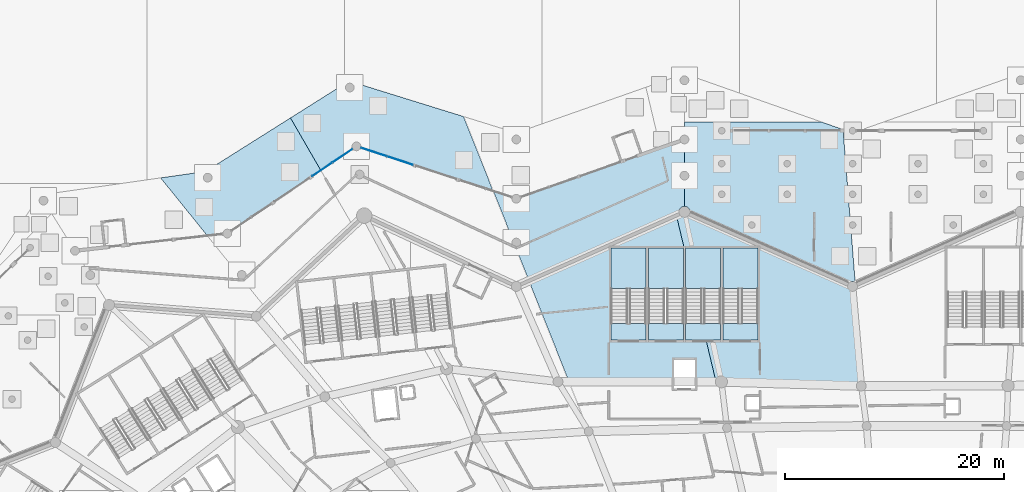
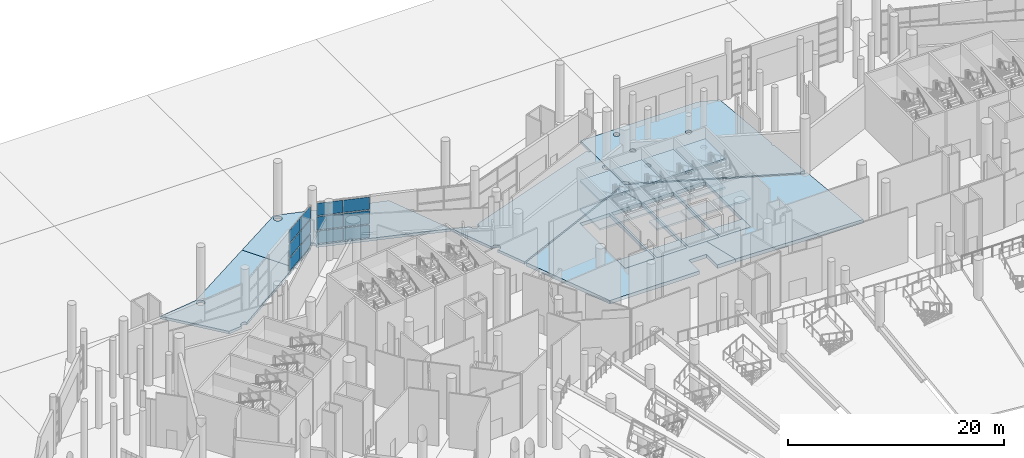
# One storey, part 91 of 255: 21 slabs, 12 plates, 6 elements without a shape of their own.
"""IFC4 building model written with IfcOpenShell, lengths in metres."""

from ifc_helpers import new_model, si_unit, direction, frame, origin, origin_2d, place, context, subcontext, project, spatial, polyline, rectangle, outline, extrude, material, layer, layer_set, type_object, element, aggregate, save


model = new_model("IFC4")

# Units and contexts
model_context = context("Model", 3, precision=1e-05, world=origin(), true_north=direction((0.0, 1.0)))
body_context = subcontext(model_context, "Body", "Model", "MODEL_VIEW")
ifc_project = project(units=[si_unit("LENGTHUNIT", "METRE"), si_unit("AREAUNIT", "SQUARE_METRE"), si_unit("VOLUMEUNIT", "CUBIC_METRE"), si_unit("PLANEANGLEUNIT", "RADIAN"), si_unit("MASSUNIT", "GRAM", prefix="KILO")], contexts=[model_context])

# Site, building, storey
site_placement = place(None, origin())
site = spatial("IfcSite", under=ifc_project, at=site_placement, CompositionType="ELEMENT")
building_placement = place(site_placement, origin())
building = spatial("IfcBuilding", under=site, at=building_placement, Name="Meseta Stadium", CompositionType="ELEMENT")
storey_placement = place(building_placement, origin())
storey = spatial("IfcBuildingStorey", under=building, at=storey_placement, Name="L00", CompositionType="ELEMENT", Elevation=0.0)

# Slabs
ifc_material_1 = material(Name="Concrete C40/50", Category="concrete")
ifc_layer_1 = layer(ifc_material_1, 0.39990234375)
ifc_layer_set_1 = layer_set([ifc_layer_1], Name="Floor slab 400")
slab_type_1 = type_object("IfcSlabType", Name="Floor slab 400", PredefinedType="FLOOR", material=ifc_layer_set_1)
slab_1_placement = place(storey_placement, frame((0.0, 0.0, -0.39990234375)))
element("IfcSlab", 1, at=slab_1_placement, inside=storey, type_object=slab_type_1, Name="Floor slab L00 sector 14 panel 01", PredefinedType="FLOOR", context=body_context, shape_type="SweptSolid", body=[
    extrude(outline(polyline([(-23.732177734375, 105.0751953125), (-37.177001953125, 99.11279296875), (-33.525390625, 89.911376953125), (-23.949951171875, 89.906005859375), (-23.949951171875, 91.89990234375), (-22.050048828125, 91.89990234375), (-22.050048828125, 89.905029296875), (-20.1201171875, 89.904052734375), (-21.023681640625, 93.699951171875), (-22.89990234375, 93.699951171875), (-22.89990234375, 101.580078125), (-23.732177734375, 105.0751953125)]), holes=[polyline([(-26.300048828125, 93.699951171875), (-26.300048828125, 102.10009765625), (-23.10009765625, 102.10009765625), (-23.10009765625, 93.699951171875), (-26.300048828125, 93.699951171875)]), polyline([(-29.699951171875, 93.699951171875), (-29.699951171875, 102.10009765625), (-26.5, 102.10009765625), (-26.5, 93.699951171875), (-29.699951171875, 93.699951171875)])]), origin(), (0.0, 0.0, 1.0), 0.39990234375),
])
slab_2_placement = place(storey_placement, frame((0.0, 0.0, -0.39990234375)))
element("IfcSlab", 2, at=slab_2_placement, inside=storey, type_object=slab_type_1, Name="Floor slab L00 sector 14 panel 03", PredefinedType="FLOOR", context=body_context, shape_type="SweptSolid", body=[
    extrude(outline(polyline([(-21.023681640625, 93.699951171875), (-20.1201171875, 89.904052734375), (-19.62744140625, 89.90380859375), (-6.87060546875, 89.517822265625), (-6.676025390625, 89.518310546875), (-7.406005859375, 98.715576171875), (-7.666748046875, 98.60009765625), (-23.0, 105.39990234375), (-23.732177734375, 105.0751953125), (-22.89990234375, 101.580078125), (-22.89990234375, 102.10009765625), (-19.699951171875, 102.10009765625), (-19.699951171875, 93.699951171875), (-21.023681640625, 93.699951171875)]), holes=[polyline([(-19.5, 102.10009765625), (-16.300048828125, 102.10009765625), (-16.300048828125, 93.699951171875), (-19.5, 93.699951171875), (-19.5, 102.10009765625)])]), origin(), (0.0, 0.0, 1.0), 0.39990234375),
])
ifc_material_2 = material(Name="Concrete C30/37", Category="concrete")
ifc_layer_2 = layer(ifc_material_2, 0.300048828125)
ifc_layer_set_2 = layer_set([ifc_layer_2], Name="Gate grade slab 300")
slab_type_2 = type_object("IfcSlabType", Name="Gate grade slab 300", PredefinedType="BASESLAB", material=ifc_layer_set_2)
slab_3_placement = place(storey_placement, frame((0.0, 0.0, -0.300048828125)))
element("IfcSlab", 3, at=slab_3_placement, inside=storey, type_object=slab_type_2, Name="Gate ground floor slab 3 panel 01", PredefinedType="BASESLAB", context=body_context, shape_type="SweptSolid", body=[
    extrude(outline(polyline([(-7.54931640625, 99.038330078125), (-7.439697265625, 98.9931640625), (-7.42724609375, 98.9833984375), (-7.820556640625, 103.93994140625), (-7.880615234375, 103.986083984375), (-7.9287109375, 104.048583984375), (-7.958984375, 104.12158203125), (-7.96923828125, 104.199951171875), (-7.958984375, 104.2783203125), (-7.9287109375, 104.351318359375), (-7.880615234375, 104.4140625), (-7.859619140625, 104.43017578125), (-8.531982421875, 112.90478515625), (-10.506103515625, 113.60009765625), (-23.0, 113.60009765625), (-23.0, 105.904296875), (-22.869384765625, 105.88720703125), (-22.747802734375, 105.836669921875), (-22.643310546875, 105.756591796875), (-22.563232421875, 105.652099609375), (-22.512939453125, 105.530517578125), (-22.49560546875, 105.39990234375), (-22.4990234375, 105.374755859375), (-7.972412109375, 98.9326171875), (-7.8935546875, 98.9931640625), (-7.7841796875, 99.038330078125), (-7.666748046875, 99.053955078125), (-7.54931640625, 99.038330078125)]), holes=[polyline([(-16.588134765625, 104.048583984375), (-16.63623046875, 103.986083984375), (-16.69873046875, 103.93798828125), (-16.771728515625, 103.90771484375), (-16.85009765625, 103.8974609375), (-16.928466796875, 103.90771484375), (-17.00146484375, 103.93798828125), (-17.064208984375, 103.986083984375), (-17.1123046875, 104.048583984375), (-17.142333984375, 104.12158203125), (-17.152587890625, 104.199951171875), (-17.142333984375, 104.2783203125), (-17.1123046875, 104.351318359375), (-17.064208984375, 104.4140625), (-17.00146484375, 104.4619140625), (-16.928466796875, 104.4921875), (-16.85009765625, 104.502685546875), (-16.771728515625, 104.4921875), (-16.69873046875, 104.4619140625), (-16.63623046875, 104.4140625), (-16.588134765625, 104.351318359375), (-16.557861328125, 104.2783203125), (-16.547607421875, 104.199951171875), (-16.557861328125, 104.12158203125), (-16.588134765625, 104.048583984375)]), polyline([(-19.337890625, 106.8486328125), (-19.385986328125, 106.785888671875), (-19.44873046875, 106.738037109375), (-19.521728515625, 106.707763671875), (-19.60009765625, 106.697509765625), (-19.67822265625, 106.707763671875), (-19.751220703125, 106.738037109375), (-19.81396484375, 106.785888671875), (-19.862060546875, 106.8486328125), (-19.892333984375, 106.921630859375), (-19.902587890625, 107.0), (-19.892333984375, 107.078369140625), (-19.862060546875, 107.1513671875), (-19.81396484375, 107.214111328125), (-19.751220703125, 107.261962890625), (-19.67822265625, 107.292236328125), (-19.60009765625, 107.302490234375), (-19.521728515625, 107.292236328125), (-19.44873046875, 107.261962890625), (-19.385986328125, 107.214111328125), (-19.337890625, 107.1513671875), (-19.3076171875, 107.078369140625), (-19.29736328125, 107.0), (-19.3076171875, 106.921630859375), (-19.337890625, 106.8486328125)]), polyline([(-13.41943359375, 106.785888671875), (-13.48193359375, 106.738037109375), (-13.554931640625, 106.707763671875), (-13.63330078125, 106.697509765625), (-13.711669921875, 106.707763671875), (-13.78466796875, 106.738037109375), (-13.847412109375, 106.785888671875), (-13.8955078125, 106.8486328125), (-13.925537109375, 106.921630859375), (-13.935791015625, 107.0), (-13.925537109375, 107.078369140625), (-13.8955078125, 107.1513671875), (-13.847412109375, 107.214111328125), (-13.78466796875, 107.261962890625), (-13.711669921875, 107.292236328125), (-13.63330078125, 107.302490234375), (-13.554931640625, 107.292236328125), (-13.48193359375, 107.261962890625), (-13.41943359375, 107.214111328125), (-13.371337890625, 107.1513671875), (-13.341064453125, 107.078369140625), (-13.330810546875, 107.0), (-13.341064453125, 106.921630859375), (-13.371337890625, 106.8486328125), (-13.41943359375, 106.785888671875)]), polyline([(-19.337890625, 109.648681640625), (-19.385986328125, 109.5859375), (-19.44873046875, 109.5380859375), (-19.521728515625, 109.5078125), (-19.60009765625, 109.497314453125), (-19.67822265625, 109.5078125), (-19.751220703125, 109.5380859375), (-19.81396484375, 109.5859375), (-19.862060546875, 109.648681640625), (-19.892333984375, 109.7216796875), (-19.902587890625, 109.800048828125), (-19.892333984375, 109.87841796875), (-19.862060546875, 109.951416015625), (-19.81396484375, 110.013916015625), (-19.751220703125, 110.06201171875), (-19.67822265625, 110.09228515625), (-19.60009765625, 110.1025390625), (-19.521728515625, 110.09228515625), (-19.44873046875, 110.06201171875), (-19.385986328125, 110.013916015625), (-19.337890625, 109.951416015625), (-19.3076171875, 109.87841796875), (-19.29736328125, 109.800048828125), (-19.3076171875, 109.7216796875), (-19.337890625, 109.648681640625)]), polyline([(-13.41943359375, 109.5859375), (-13.48193359375, 109.5380859375), (-13.554931640625, 109.5078125), (-13.63330078125, 109.497314453125), (-13.711669921875, 109.5078125), (-13.78466796875, 109.5380859375), (-13.847412109375, 109.5859375), (-13.8955078125, 109.648681640625), (-13.925537109375, 109.7216796875), (-13.935791015625, 109.800048828125), (-13.925537109375, 109.87841796875), (-13.8955078125, 109.951416015625), (-13.847412109375, 110.013916015625), (-13.78466796875, 110.06201171875), (-13.711669921875, 110.09228515625), (-13.63330078125, 110.1025390625), (-13.554931640625, 110.09228515625), (-13.48193359375, 110.06201171875), (-13.41943359375, 110.013916015625), (-13.371337890625, 109.951416015625), (-13.341064453125, 109.87841796875), (-13.330810546875, 109.800048828125), (-13.341064453125, 109.7216796875), (-13.371337890625, 109.648681640625), (-13.41943359375, 109.5859375)]), polyline([(-19.385986328125, 112.5859375), (-19.44873046875, 112.5380859375), (-19.521728515625, 112.5078125), (-19.60009765625, 112.497314453125), (-19.67822265625, 112.5078125), (-19.751220703125, 112.5380859375), (-19.81396484375, 112.5859375), (-19.862060546875, 112.648681640625), (-19.892333984375, 112.7216796875), (-19.902587890625, 112.800048828125), (-19.892333984375, 112.87841796875), (-19.862060546875, 112.951416015625), (-19.81396484375, 113.013916015625), (-19.751220703125, 113.06201171875), (-19.67822265625, 113.09228515625), (-19.60009765625, 113.1025390625), (-19.521728515625, 113.09228515625), (-19.44873046875, 113.06201171875), (-19.385986328125, 113.013916015625), (-19.337890625, 112.951416015625), (-19.3076171875, 112.87841796875), (-19.29736328125, 112.800048828125), (-19.3076171875, 112.7216796875), (-19.337890625, 112.648681640625), (-19.385986328125, 112.5859375)])]), origin(), (0.0, 0.0, 1.0), 0.300048828125),
])
ifc_material_3 = material(Name="Concrete C40/50", Category="concrete")
ifc_layer_3 = layer(ifc_material_3, 0.300048828125)
ifc_layer_set_3 = layer_set([ifc_layer_3], Name="Passage paving slab 300")
slab_type_3 = type_object("IfcSlabType", Name="Passage paving slab 300", PredefinedType="FLOOR", material=ifc_layer_set_3)
slab_4_placement = place(storey_placement, frame((0.0, 0.0, -0.300048828125)))
element("IfcSlab", 4, at=slab_4_placement, inside=storey, type_object=slab_type_3, Name="Covered passage paving 3 part 1 panel 02", PredefinedType="FLOOR", context=body_context, shape_type="SweptSolid", body=[
    extrude(outline(polyline([(-58.92919921875, 113.96826171875), (-66.675537109375, 109.087158203125), (-70.776611328125, 108.501708984375), (-66.512451171875, 103.218017578125), (-65.09130859375, 103.37890625), (-65.09716796875, 103.423828125), (-65.08349609375, 103.5283203125), (-65.043212890625, 103.62548828125), (-64.97900390625, 103.708984375), (-64.8955078125, 103.773193359375), (-64.798095703125, 103.8134765625), (-64.69384765625, 103.8271484375), (-64.58935546875, 103.8134765625), (-64.4921875, 103.773193359375), (-64.408447265625, 103.708984375), (-64.361572265625, 103.64794921875), (-56.162109375, 109.18115234375), (-58.92919921875, 113.96826171875)]), holes=[polyline([(-66.477294921875, 108.1171875), (-66.581787109375, 108.131103515625), (-66.678955078125, 108.17138671875), (-66.7626953125, 108.235595703125), (-66.82666015625, 108.319091796875), (-66.866943359375, 108.416259765625), (-66.880859375, 108.520751953125), (-66.866943359375, 108.625244140625), (-66.82666015625, 108.722412109375), (-66.7626953125, 108.805908203125), (-66.678955078125, 108.8701171875), (-66.581787109375, 108.910400390625), (-66.477294921875, 108.92431640625), (-66.372802734375, 108.910400390625), (-66.275634765625, 108.8701171875), (-66.19189453125, 108.805908203125), (-66.1279296875, 108.722412109375), (-66.087646484375, 108.625244140625), (-66.073974609375, 108.520751953125), (-66.087646484375, 108.416259765625), (-66.1279296875, 108.319091796875), (-66.19189453125, 108.235595703125), (-66.275634765625, 108.17138671875), (-66.372802734375, 108.131103515625), (-66.477294921875, 108.1171875)])]), origin(), (0.0, 0.0, 1.0), 0.300048828125),
])
slab_5_placement = place(storey_placement, frame((0.0, 0.0, -0.300048828125)))
element("IfcSlab", 5, at=slab_5_placement, inside=storey, type_object=slab_type_3, Name="Covered passage paving 3 part 1 panel 03", PredefinedType="FLOOR", context=body_context, shape_type="SweptSolid", body=[
    extrude(outline(polyline([(-43.142822265625, 114.093017578125), (-53.5869140625, 117.334716796875), (-58.92919921875, 113.96826171875), (-56.162109375, 109.18115234375), (-53.247314453125, 111.148193359375), (-53.264404296875, 111.170654296875), (-53.3046875, 111.267822265625), (-53.318603515625, 111.372314453125), (-53.3046875, 111.476806640625), (-53.264404296875, 111.57421875), (-53.2001953125, 111.65771484375), (-53.11669921875, 111.7216796875), (-53.019287109375, 111.76220703125), (-52.9150390625, 111.77587890625), (-52.810546875, 111.76220703125), (-52.71337890625, 111.7216796875), (-52.629638671875, 111.65771484375), (-52.565673828125, 111.57421875), (-52.525390625, 111.476806640625), (-52.51171875, 111.372314453125), (-52.525390625, 111.267822265625), (-52.53369140625, 111.24755859375), (-40.443603515625, 107.290771484375), (-43.142822265625, 114.093017578125)]), holes=[polyline([(-53.51953125, 116.3349609375), (-53.6240234375, 116.3486328125), (-53.72119140625, 116.388916015625), (-53.804931640625, 116.453125), (-53.868896484375, 116.53662109375), (-53.9091796875, 116.634033203125), (-53.923095703125, 116.73828125), (-53.9091796875, 116.8427734375), (-53.868896484375, 116.940185546875), (-53.804931640625, 117.023681640625), (-53.72119140625, 117.087890625), (-53.6240234375, 117.128173828125), (-53.51953125, 117.141845703125), (-53.415283203125, 117.128173828125), (-53.31787109375, 117.087890625), (-53.234375, 117.023681640625), (-53.170166015625, 116.940185546875), (-53.1298828125, 116.8427734375), (-53.1162109375, 116.73828125), (-53.1298828125, 116.634033203125), (-53.170166015625, 116.53662109375), (-53.234375, 116.453125), (-53.31787109375, 116.388916015625), (-53.415283203125, 116.3486328125), (-53.51953125, 116.3349609375)])]), origin(), (0.0, 0.0, 1.0), 0.300048828125),
])

# Curtain wall, plates
ifc_material_4 = material(Name="Aluminium", Category="aluminium")
ifc_layer_4 = layer(ifc_material_4, 0.199951171875)
ifc_layer_set_4 = layer_set([ifc_layer_4], Name="Ring shopfront curtain wall")
curtain_wall_type = type_object("IfcCurtainWallType", Name="Ring shopfront curtain wall", PredefinedType="NOTDEFINED", material=ifc_layer_set_4)
curtain_wall_1_placement = place(storey_placement, origin())
curtain_wall_1 = element("IfcCurtainWall", 6, at=curtain_wall_1_placement, inside=storey, type_object=curtain_wall_type, Name="Shopfront glazing F21b", PredefinedType="NOTDEFINED")
ifc_material_5 = material(Name="Glass", Category="glass")
ifc_layer_5 = layer(ifc_material_5, 0.035888671875)
ifc_layer_set_5 = layer_set([ifc_layer_5], Name="Ring CW glass panel 36")
plate_type = type_object("IfcPlateType", Name="Ring CW glass panel 36", PredefinedType="CURTAIN_PANEL", material=ifc_layer_set_5)
plate_1_placement = place(storey_placement, frame((-48.934326171875, 110.069580078125, 0.150146484375), z_axis=(0.0, 0.0, 1.0), x_axis=(-0.950396493151, 0.311041003416, 0.0)))
plate_1 = element("IfcPlate", 7, at=plate_1_placement, type_object=plate_type, Name="CWR1 panel 1.1", PredefinedType="CURTAIN_PANEL", context=body_context, shape_type="SweptSolid", body=[
    extrude(rectangle(XDim=2.445556640625, YDim=0.035888671875, at=origin_2d()), origin(), (0.0, 0.0, 1.0), 1.3916015625),
])
plate_2_placement = place(storey_placement, frame((-48.934326171875, 110.069580078125, 1.69189453125), z_axis=(0.0, 0.0, 1.0), x_axis=(-0.950396493151, 0.311041003416, 0.0)))
plate_2 = element("IfcPlate", 8, at=plate_2_placement, type_object=plate_type, Name="CWR1 panel 1.2", PredefinedType="CURTAIN_PANEL", context=body_context, shape_type="SweptSolid", body=[
    extrude(rectangle(XDim=2.445556640625, YDim=0.035888671875, at=origin_2d()), origin(), (0.0, 0.0, 1.0), 1.466552734375),
])
plate_3_placement = place(storey_placement, frame((-48.934326171875, 110.069580078125, 3.308349609375), z_axis=(0.0, 0.0, 1.0), x_axis=(-0.950396493151, 0.311041003416, 0.0)))
plate_3 = element("IfcPlate", 9, at=plate_3_placement, type_object=plate_type, Name="CWR1 panel 1.3", PredefinedType="CURTAIN_PANEL", context=body_context, shape_type="SweptSolid", body=[
    extrude(rectangle(XDim=2.445556640625, YDim=0.035888671875, at=origin_2d()), origin(), (0.0, 0.0, 1.0), 1.3916015625),
])
plate_4_placement = place(storey_placement, frame((-51.315673828125, 110.848876953125, 0.150146484375), z_axis=(0.0, 0.0, 1.0), x_axis=(-0.950396493151, 0.311041003416, 0.0)))
plate_4 = element("IfcPlate", 10, at=plate_4_placement, type_object=plate_type, Name="CWR1 panel 2.1", PredefinedType="CURTAIN_PANEL", context=body_context, shape_type="SweptSolid", body=[
    extrude(rectangle(XDim=2.445556640625, YDim=0.035888671875, at=origin_2d()), origin(), (0.0, 0.0, 1.0), 1.3916015625),
])
plate_5_placement = place(storey_placement, frame((-51.315673828125, 110.848876953125, 1.69189453125), z_axis=(0.0, 0.0, 1.0), x_axis=(-0.950396493151, 0.311041003416, 0.0)))
plate_5 = element("IfcPlate", 11, at=plate_5_placement, type_object=plate_type, Name="CWR1 panel 2.2", PredefinedType="CURTAIN_PANEL", context=body_context, shape_type="SweptSolid", body=[
    extrude(rectangle(XDim=2.445556640625, YDim=0.035888671875, at=origin_2d()), origin(), (0.0, 0.0, 1.0), 1.466552734375),
])
plate_6_placement = place(storey_placement, frame((-51.315673828125, 110.848876953125, 3.308349609375), z_axis=(0.0, 0.0, 1.0), x_axis=(-0.950396493151, 0.311041003416, 0.0)))
plate_6 = element("IfcPlate", 12, at=plate_6_placement, type_object=plate_type, Name="CWR1 panel 2.3", PredefinedType="CURTAIN_PANEL", context=body_context, shape_type="SweptSolid", body=[
    extrude(rectangle(XDim=2.445556640625, YDim=0.035888671875, at=origin_2d()), origin(), (0.0, 0.0, 1.0), 1.3916015625),
])
aggregate(curtain_wall_1, [plate_1, plate_2, plate_3, plate_4, plate_5, plate_6])

curtain_wall_2_placement = place(storey_placement, origin())
curtain_wall_2 = element("IfcCurtainWall", 13, at=curtain_wall_2_placement, inside=storey, type_object=curtain_wall_type, Name="Shopfront glazing F22a", PredefinedType="NOTDEFINED")
plate_7_placement = place(storey_placement, frame((-54.192626953125, 110.51025390625, 0.150146484375), z_axis=(0.0, 0.0, 1.0), x_axis=(-0.828919178909, -0.559368389201, 0.0)))
plate_7 = element("IfcPlate", 14, at=plate_7_placement, type_object=plate_type, Name="CWR1 panel 1.1", PredefinedType="CURTAIN_PANEL", context=body_context, shape_type="SweptSolid", body=[
    extrude(rectangle(XDim=2.162353515625, YDim=0.035888671875, at=origin_2d()), origin(), (0.0, 0.0, 1.0), 1.3916015625),
])
plate_8_placement = place(storey_placement, frame((-54.192626953125, 110.51025390625, 1.69189453125), z_axis=(0.0, 0.0, 1.0), x_axis=(-0.828919178909, -0.559368389201, 0.0)))
plate_8 = element("IfcPlate", 15, at=plate_8_placement, type_object=plate_type, Name="CWR1 panel 1.2", PredefinedType="CURTAIN_PANEL", context=body_context, shape_type="SweptSolid", body=[
    extrude(rectangle(XDim=2.162353515625, YDim=0.035888671875, at=origin_2d()), origin(), (0.0, 0.0, 1.0), 1.466552734375),
])
plate_9_placement = place(storey_placement, frame((-54.192626953125, 110.51025390625, 3.308349609375), z_axis=(0.0, 0.0, 1.0), x_axis=(-0.828919178909, -0.559368389201, 0.0)))
plate_9 = element("IfcPlate", 16, at=plate_9_placement, type_object=plate_type, Name="CWR1 panel 1.3", PredefinedType="CURTAIN_PANEL", context=body_context, shape_type="SweptSolid", body=[
    extrude(rectangle(XDim=2.162353515625, YDim=0.035888671875, at=origin_2d()), origin(), (0.0, 0.0, 1.0), 1.3916015625),
])
plate_10_placement = place(storey_placement, frame((-56.034912109375, 109.26708984375, 0.150146484375), z_axis=(0.0, 0.0, 1.0), x_axis=(-0.828919178909, -0.559368389201, 0.0)))
plate_10 = element("IfcPlate", 17, at=plate_10_placement, type_object=plate_type, Name="CWR1 panel 2.1", PredefinedType="CURTAIN_PANEL", context=body_context, shape_type="SweptSolid", body=[
    extrude(rectangle(XDim=2.162353515625, YDim=0.035888671875, at=origin_2d()), origin(), (0.0, 0.0, 1.0), 1.3916015625),
])
plate_11_placement = place(storey_placement, frame((-56.034912109375, 109.26708984375, 1.69189453125), z_axis=(0.0, 0.0, 1.0), x_axis=(-0.828919178909, -0.559368389201, 0.0)))
plate_11 = element("IfcPlate", 18, at=plate_11_placement, type_object=plate_type, Name="CWR1 panel 2.2", PredefinedType="CURTAIN_PANEL", context=body_context, shape_type="SweptSolid", body=[
    extrude(rectangle(XDim=2.162353515625, YDim=0.035888671875, at=origin_2d()), origin(), (0.0, 0.0, 1.0), 1.466552734375),
])
plate_12_placement = place(storey_placement, frame((-56.034912109375, 109.26708984375, 3.308349609375), z_axis=(0.0, 0.0, 1.0), x_axis=(-0.828919178909, -0.559368389201, 0.0)))
plate_12 = element("IfcPlate", 19, at=plate_12_placement, type_object=plate_type, Name="CWR1 panel 2.3", PredefinedType="CURTAIN_PANEL", context=body_context, shape_type="SweptSolid", body=[
    extrude(rectangle(XDim=2.162353515625, YDim=0.035888671875, at=origin_2d()), origin(), (0.0, 0.0, 1.0), 1.3916015625),
])
aggregate(curtain_wall_2, [plate_7, plate_8, plate_9, plate_10, plate_11, plate_12])

# Slab
ifc_material_6 = material(Name="Concrete C30/37", Category="concrete")
ifc_layer_6 = layer(ifc_material_6, 0.300048828125)
ifc_layer_set_6 = layer_set([ifc_layer_6], Name="Ring grade slab 300")
slab_type_4 = type_object("IfcSlabType", Name="Ring grade slab 300", PredefinedType="BASESLAB", material=ifc_layer_set_6)
slab_6_placement = place(storey_placement, frame((0.0, 0.0, -0.300048828125)))
element("IfcSlab", 20, at=slab_6_placement, inside=storey, type_object=slab_type_4, Name="Ring ground floor slab 3 part 2", PredefinedType="BASESLAB", context=body_context, shape_type="SweptSolid", body=[
    extrude(outline(polyline([(-38.714599609375, 106.724853515625), (-40.418701171875, 107.28271484375), (-38.655029296875, 102.837890625), (-38.61865234375, 102.88525390625), (-38.53515625, 102.949462890625), (-38.437744140625, 102.98974609375), (-38.333251953125, 103.00341796875), (-38.22900390625, 102.98974609375), (-38.131591796875, 102.949462890625), (-38.048095703125, 102.88525390625), (-37.98388671875, 102.8017578125), (-37.943603515625, 102.704345703125), (-37.929931640625, 102.60009765625), (-37.943603515625, 102.49560546875), (-37.98388671875, 102.398193359375), (-38.048095703125, 102.314697265625), (-38.131591796875, 102.25048828125), (-38.22900390625, 102.210205078125), (-38.333251953125, 102.196533203125), (-38.404296875, 102.205810546875), (-37.232421875, 99.25244140625), (-23.496826171875, 105.34375), (-23.50439453125, 105.39990234375), (-23.487060546875, 105.530517578125), (-23.436767578125, 105.652099609375), (-23.356689453125, 105.756591796875), (-23.252197265625, 105.836669921875), (-23.130615234375, 105.88720703125), (-23.0, 105.904296875), (-23.0, 108.29638671875), (-23.1044921875, 108.310302734375), (-23.20166015625, 108.3505859375), (-23.285400390625, 108.414794921875), (-23.349365234375, 108.498291015625), (-23.3896484375, 108.595703125), (-23.403564453125, 108.699951171875), (-23.3896484375, 108.804443359375), (-23.349365234375, 108.901611328125), (-23.285400390625, 108.9853515625), (-23.20166015625, 109.04931640625), (-23.1044921875, 109.089599609375), (-23.0, 109.103515625), (-23.0, 111.596435546875), (-23.1044921875, 111.6103515625), (-23.20166015625, 111.650634765625), (-23.285400390625, 111.714599609375), (-23.349365234375, 111.79833984375), (-23.377685546875, 111.866943359375), (-37.95556640625, 106.733154296875), (-37.943603515625, 106.704345703125), (-37.929931640625, 106.60009765625), (-37.943603515625, 106.49560546875), (-37.98388671875, 106.398193359375), (-38.048095703125, 106.314697265625), (-38.131591796875, 106.25048828125), (-38.22900390625, 106.210205078125), (-38.333251953125, 106.196533203125), (-38.437744140625, 106.210205078125), (-38.53515625, 106.25048828125), (-38.61865234375, 106.314697265625), (-38.6826171875, 106.398193359375), (-38.722900390625, 106.49560546875), (-38.73681640625, 106.60009765625), (-38.722900390625, 106.704345703125), (-38.714599609375, 106.724853515625)])), origin(), (0.0, 0.0, 1.0), 0.300048828125),
])

# Stair, slabs
ifc_material_7 = material(Name="Concrete C40/50", Category="concrete")
stair_type = type_object("IfcStairType", Name="Exit stair 4 flights 148 mm risers", PredefinedType="HALF_TURN_STAIR", material=ifc_material_7)
stair_1_placement = place(storey_placement, origin())
stair_1 = element("IfcStair", 21, at=stair_1_placement, inside=storey, type_object=stair_type, Name="ST41 L00", PredefinedType="HALF_TURN_STAIR")
ifc_material_8 = material(Name="Concrete C40/50", Category="concrete")
ifc_layer_7 = layer(ifc_material_8, 0.199951171875)
ifc_layer_set_7 = layer_set([ifc_layer_7], Name="Stair landing 200")
slab_type_5 = type_object("IfcSlabType", Name="Stair landing 200", PredefinedType="LANDING", material=ifc_layer_set_7)
slab_7_placement = place(storey_placement, frame((0.0, 0.0, 1.425048828125)))
slab_7 = element("IfcSlab", 22, at=slab_7_placement, type_object=slab_type_5, Name="ST41 L00 landing 1", PredefinedType="LANDING", context=body_context, shape_type="SweptSolid", body=[
    extrude(outline(polyline([(-16.300048828125, 98.389892578125), (-16.300048828125, 102.10009765625), (-19.5, 102.10009765625), (-19.5, 98.389892578125), (-16.300048828125, 98.389892578125)])), origin(), (0.0, 0.0, 1.0), 0.199951171875),
])
slab_8_placement = place(storey_placement, frame((0.0, 0.0, 3.050048828125)))
slab_8 = element("IfcSlab", 23, at=slab_8_placement, type_object=slab_type_5, Name="ST41 L00 landing 2", PredefinedType="LANDING", context=body_context, shape_type="SweptSolid", body=[
    extrude(outline(polyline([(-16.300048828125, 93.699951171875), (-16.300048828125, 95.2099609375), (-19.5, 95.2099609375), (-19.5, 93.699951171875), (-16.300048828125, 93.699951171875)])), origin(), (0.0, 0.0, 1.0), 0.199951171875),
])
slab_9_placement = place(storey_placement, frame((0.0, 0.0, 4.675048828125)))
slab_9 = element("IfcSlab", 24, at=slab_9_placement, type_object=slab_type_5, Name="ST41 L00 landing 3", PredefinedType="LANDING", context=body_context, shape_type="SweptSolid", body=[
    extrude(outline(polyline([(-16.300048828125, 98.389892578125), (-16.300048828125, 102.10009765625), (-19.5, 102.10009765625), (-19.5, 98.389892578125), (-16.300048828125, 98.389892578125)])), origin(), (0.0, 0.0, 1.0), 0.199951171875),
])
slab_10_placement = place(storey_placement, frame((0.0, 0.0, -0.199951171875)))
slab_10 = element("IfcSlab", 25, at=slab_10_placement, type_object=slab_type_5, Name="ST41 L00 landing 4", PredefinedType="LANDING", context=body_context, shape_type="SweptSolid", body=[
    extrude(outline(polyline([(-16.300048828125, 93.699951171875), (-16.300048828125, 95.2099609375), (-19.5, 95.2099609375), (-19.5, 93.699951171875), (-16.300048828125, 93.699951171875)])), origin(), (0.0, 0.0, 1.0), 0.199951171875),
])
aggregate(stair_1, [slab_7, slab_8, slab_9, slab_10])

stair_2_placement = place(storey_placement, origin())
stair_2 = element("IfcStair", 26, at=stair_2_placement, inside=storey, type_object=stair_type, Name="ST42 L00", PredefinedType="HALF_TURN_STAIR")
slab_11_placement = place(storey_placement, frame((0.0, 0.0, 1.425048828125)))
slab_11 = element("IfcSlab", 27, at=slab_11_placement, type_object=slab_type_5, Name="ST42 L00 landing 1", PredefinedType="LANDING", context=body_context, shape_type="SweptSolid", body=[
    extrude(outline(polyline([(-19.699951171875, 98.389892578125), (-19.699951171875, 102.10009765625), (-22.89990234375, 102.10009765625), (-22.89990234375, 98.389892578125), (-19.699951171875, 98.389892578125)])), origin(), (0.0, 0.0, 1.0), 0.199951171875),
])
slab_12_placement = place(storey_placement, frame((0.0, 0.0, 3.050048828125)))
slab_12 = element("IfcSlab", 28, at=slab_12_placement, type_object=slab_type_5, Name="ST42 L00 landing 2", PredefinedType="LANDING", context=body_context, shape_type="SweptSolid", body=[
    extrude(outline(polyline([(-19.699951171875, 93.699951171875), (-19.699951171875, 95.2099609375), (-22.89990234375, 95.2099609375), (-22.89990234375, 93.699951171875), (-19.699951171875, 93.699951171875)])), origin(), (0.0, 0.0, 1.0), 0.199951171875),
])
slab_13_placement = place(storey_placement, frame((0.0, 0.0, 4.675048828125)))
slab_13 = element("IfcSlab", 29, at=slab_13_placement, type_object=slab_type_5, Name="ST42 L00 landing 3", PredefinedType="LANDING", context=body_context, shape_type="SweptSolid", body=[
    extrude(outline(polyline([(-19.699951171875, 98.389892578125), (-19.699951171875, 102.10009765625), (-22.89990234375, 102.10009765625), (-22.89990234375, 98.389892578125), (-19.699951171875, 98.389892578125)])), origin(), (0.0, 0.0, 1.0), 0.199951171875),
])
slab_14_placement = place(storey_placement, frame((0.0, 0.0, -0.199951171875)))
slab_14 = element("IfcSlab", 30, at=slab_14_placement, type_object=slab_type_5, Name="ST42 L00 landing 4", PredefinedType="LANDING", context=body_context, shape_type="SweptSolid", body=[
    extrude(outline(polyline([(-19.699951171875, 93.699951171875), (-19.699951171875, 95.2099609375), (-22.89990234375, 95.2099609375), (-22.89990234375, 93.699951171875), (-19.699951171875, 93.699951171875)])), origin(), (0.0, 0.0, 1.0), 0.199951171875),
])
aggregate(stair_2, [slab_11, slab_12, slab_13, slab_14])

stair_3_placement = place(storey_placement, origin())
stair_3 = element("IfcStair", 31, at=stair_3_placement, inside=storey, type_object=stair_type, Name="ST43 L00", PredefinedType="HALF_TURN_STAIR")
slab_15_placement = place(storey_placement, frame((0.0, 0.0, 1.425048828125)))
slab_15 = element("IfcSlab", 32, at=slab_15_placement, type_object=slab_type_5, Name="ST43 L00 landing 1", PredefinedType="LANDING", context=body_context, shape_type="SweptSolid", body=[
    extrude(outline(polyline([(-23.10009765625, 98.389892578125), (-23.10009765625, 102.10009765625), (-26.300048828125, 102.10009765625), (-26.300048828125, 98.389892578125), (-23.10009765625, 98.389892578125)])), origin(), (0.0, 0.0, 1.0), 0.199951171875),
])
slab_16_placement = place(storey_placement, frame((0.0, 0.0, 3.050048828125)))
slab_16 = element("IfcSlab", 33, at=slab_16_placement, type_object=slab_type_5, Name="ST43 L00 landing 2", PredefinedType="LANDING", context=body_context, shape_type="SweptSolid", body=[
    extrude(outline(polyline([(-23.10009765625, 93.699951171875), (-23.10009765625, 95.2099609375), (-26.300048828125, 95.2099609375), (-26.300048828125, 93.699951171875), (-23.10009765625, 93.699951171875)])), origin(), (0.0, 0.0, 1.0), 0.199951171875),
])
slab_17_placement = place(storey_placement, frame((0.0, 0.0, 4.675048828125)))
slab_17 = element("IfcSlab", 34, at=slab_17_placement, type_object=slab_type_5, Name="ST43 L00 landing 3", PredefinedType="LANDING", context=body_context, shape_type="SweptSolid", body=[
    extrude(outline(polyline([(-23.10009765625, 98.389892578125), (-23.10009765625, 102.10009765625), (-26.300048828125, 102.10009765625), (-26.300048828125, 98.389892578125), (-23.10009765625, 98.389892578125)])), origin(), (0.0, 0.0, 1.0), 0.199951171875),
])
slab_18_placement = place(storey_placement, frame((0.0, 0.0, -0.199951171875)))
slab_18 = element("IfcSlab", 35, at=slab_18_placement, type_object=slab_type_5, Name="ST43 L00 landing 4", PredefinedType="LANDING", context=body_context, shape_type="SweptSolid", body=[
    extrude(outline(polyline([(-23.10009765625, 93.699951171875), (-23.10009765625, 95.2099609375), (-26.300048828125, 95.2099609375), (-26.300048828125, 93.699951171875), (-23.10009765625, 93.699951171875)])), origin(), (0.0, 0.0, 1.0), 0.199951171875),
])
aggregate(stair_3, [slab_15, slab_16, slab_17, slab_18])

stair_4_placement = place(storey_placement, origin())
stair_4 = element("IfcStair", 36, at=stair_4_placement, inside=storey, type_object=stair_type, Name="ST44 L00", PredefinedType="HALF_TURN_STAIR")
slab_19_placement = place(storey_placement, frame((0.0, 0.0, 1.425048828125)))
slab_19 = element("IfcSlab", 37, at=slab_19_placement, type_object=slab_type_5, Name="ST44 L00 landing 1", PredefinedType="LANDING", context=body_context, shape_type="SweptSolid", body=[
    extrude(outline(polyline([(-26.5, 98.389892578125), (-26.5, 102.10009765625), (-29.699951171875, 102.10009765625), (-29.699951171875, 98.389892578125), (-26.5, 98.389892578125)])), origin(), (0.0, 0.0, 1.0), 0.199951171875),
])
slab_20_placement = place(storey_placement, frame((0.0, 0.0, 4.675048828125)))
slab_20 = element("IfcSlab", 38, at=slab_20_placement, type_object=slab_type_5, Name="ST44 L00 landing 3", PredefinedType="LANDING", context=body_context, shape_type="SweptSolid", body=[
    extrude(outline(polyline([(-26.5, 98.389892578125), (-26.5, 102.10009765625), (-29.699951171875, 102.10009765625), (-29.699951171875, 98.389892578125), (-26.5, 98.389892578125)])), origin(), (0.0, 0.0, 1.0), 0.199951171875),
])
slab_21_placement = place(storey_placement, frame((0.0, 0.0, -0.199951171875)))
slab_21 = element("IfcSlab", 39, at=slab_21_placement, type_object=slab_type_5, Name="ST44 L00 landing 4", PredefinedType="LANDING", context=body_context, shape_type="SweptSolid", body=[
    extrude(outline(polyline([(-26.5, 93.699951171875), (-26.5, 95.2099609375), (-29.699951171875, 95.2099609375), (-29.699951171875, 93.699951171875), (-26.5, 93.699951171875)])), origin(), (0.0, 0.0, 1.0), 0.199951171875),
])
aggregate(stair_4, [slab_19, slab_20, slab_21])

save(model, "model.ifc")
